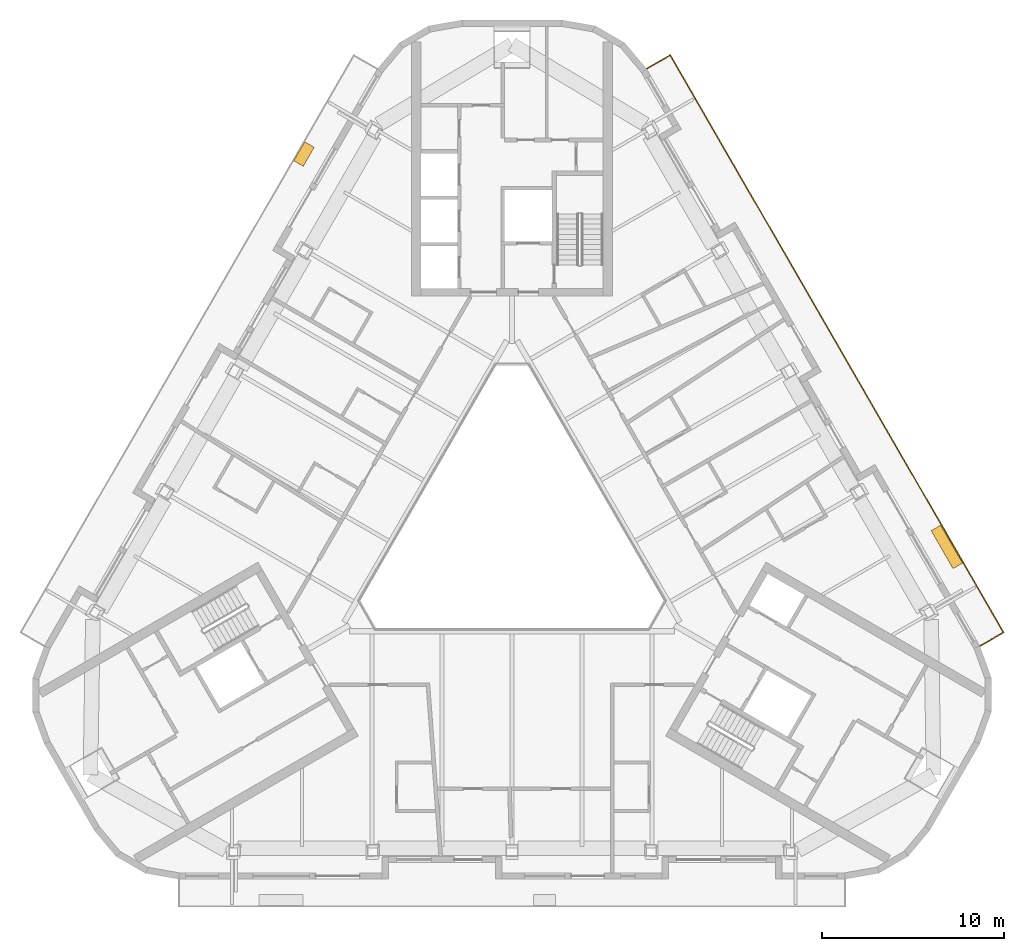
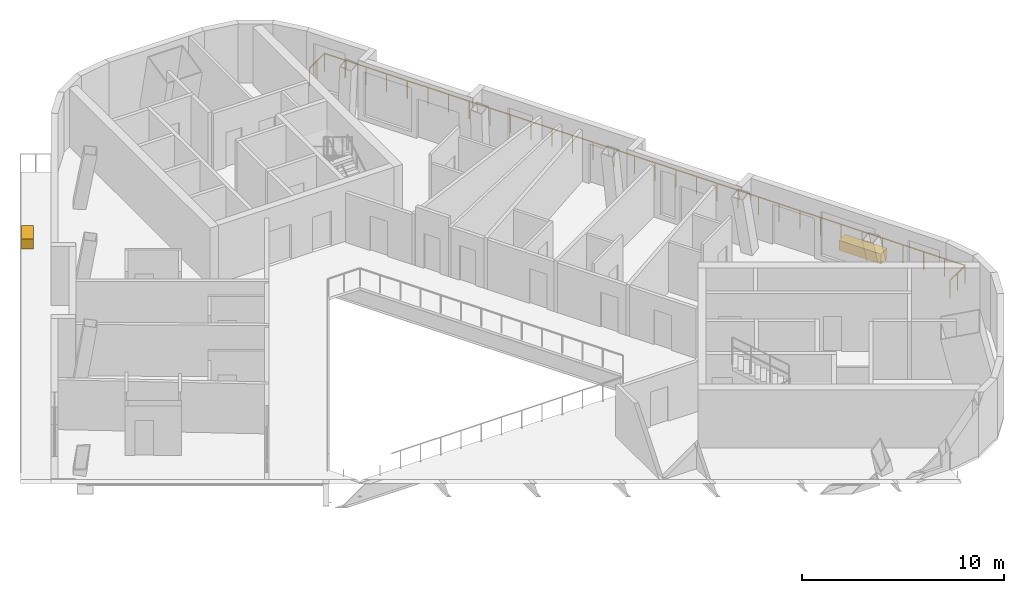
# One storey, part 13 of 14: 2 coverings, 1 railing.
"""IFC4 building model written with IfcOpenShell, lengths in metres."""

from ifc_helpers import new_model, si_unit, direction, frame, origin, origin_2d, place, context, subcontext, project, spatial, rectangle, extrude, material, type_object, element, save


model = new_model("IFC4")

# Units and contexts
model_context = context("Model", 3, precision=1e-05, world=origin(), true_north=direction((0.0, 1.0)))
body_context = subcontext(model_context, "Body", "Model", "MODEL_VIEW")
ifc_project = project(units=[si_unit("LENGTHUNIT", "METRE"), si_unit("AREAUNIT", "SQUARE_METRE"), si_unit("VOLUMEUNIT", "CUBIC_METRE"), si_unit("PLANEANGLEUNIT", "RADIAN"), si_unit("MASSUNIT", "GRAM", prefix="KILO")], contexts=[model_context])

# Site, building, storey
site_placement = place(None, origin())
site = spatial("IfcSite", under=ifc_project, at=site_placement, CompositionType="ELEMENT")
building_placement = place(site_placement, origin())
building = spatial("IfcBuilding", under=site, at=building_placement, Name="Apuvela Tower Hotel", CompositionType="ELEMENT")
storey_placement = place(building_placement, frame((0.0, 0.0, 265.199951171875)))
storey = spatial("IfcBuildingStorey", under=building, at=storey_placement, Name="L65", CompositionType="ELEMENT", Elevation=265.199951171875)

# Railing
ifc_material_1 = material(Name="Stainless steel 316 rail with laminated glass infill", Category="steel")
railing_type = type_object("IfcRailingType", Name="ENV-GUARD-1100", PredefinedType="GUARDRAIL", material=ifc_material_1)
railing_placement = place(storey_placement, frame((25.64501953125, -6.292724609375, 0.0)))
element("IfcRailing", 1, at=railing_placement, inside=storey, type_object=railing_type, Name="Balcony guard NE L65", PredefinedType="GUARDRAIL", context=body_context, shape_type="SweptSolid", body=[
    extrude(rectangle(XDim=0.050048828125, YDim=0.050048828125, at=origin_2d()), frame((0.0, 0.0, 1.0751953125), z_axis=(0.866031096941, 0.499990139034, 0.0), x_axis=(-0.499990139034, 0.866031096941, 0.0)), (0.0, 0.0, 1.0), 1.5),
    extrude(rectangle(XDim=0.050048828125, YDim=0.050048828125, at=origin_2d()), frame((1.299072265625, 0.75, 1.0751953125), z_axis=(-0.499999648787, 0.866025606557, 0.0), x_axis=(-0.866025606557, -0.499999648787, 0.0)), (0.0, 0.0, 1.0), 36.54443359375),
    extrude(rectangle(XDim=0.050048828125, YDim=0.050048828125, at=origin_2d()), frame((-16.97314453125, 32.3984375, 1.0751953125), z_axis=(-0.866031096941, -0.499990139034, 0.0), x_axis=(0.499990139034, -0.866031096941, 0.0)), (0.0, 0.0, 1.0), 1.5),
    extrude(rectangle(XDim=0.0400390625, YDim=0.0400390625, at=origin_2d()), origin(), (0.0, 0.0, 1.0), 1.050048828125),
    extrude(rectangle(XDim=0.0400390625, YDim=0.0400390625, at=origin_2d()), frame((0.6494140625, 0.375, 0.0)), (0.0, 0.0, 1.0), 1.050048828125),
    extrude(rectangle(XDim=0.0400390625, YDim=0.0400390625, at=origin_2d()), frame((1.299072265625, 0.75, 0.0)), (0.0, 0.0, 1.0), 1.050048828125),
    extrude(rectangle(XDim=0.0400390625, YDim=0.0400390625, at=origin_2d()), frame((0.709716796875, 1.77099609375, 0.0)), (0.0, 0.0, 1.0), 1.050048828125),
    extrude(rectangle(XDim=0.0400390625, YDim=0.0400390625, at=origin_2d()), frame((0.1201171875, 2.791748046875, 0.0)), (0.0, 0.0, 1.0), 1.050048828125),
    extrude(rectangle(XDim=0.0400390625, YDim=0.0400390625, at=origin_2d()), frame((-0.46923828125, 3.812744140625, 0.0)), (0.0, 0.0, 1.0), 1.050048828125),
    extrude(rectangle(XDim=0.0400390625, YDim=0.0400390625, at=origin_2d()), frame((-1.05859375, 4.833740234375, 0.0)), (0.0, 0.0, 1.0), 1.050048828125),
    extrude(rectangle(XDim=0.0400390625, YDim=0.0400390625, at=origin_2d()), frame((-1.64794921875, 5.8544921875, 0.0)), (0.0, 0.0, 1.0), 1.050048828125),
    extrude(rectangle(XDim=0.0400390625, YDim=0.0400390625, at=origin_2d()), frame((-2.237548828125, 6.87548828125, 0.0)), (0.0, 0.0, 1.0), 1.050048828125),
    extrude(rectangle(XDim=0.0400390625, YDim=0.0400390625, at=origin_2d()), frame((-2.826904296875, 7.896484375, 0.0)), (0.0, 0.0, 1.0), 1.050048828125),
    extrude(rectangle(XDim=0.0400390625, YDim=0.0400390625, at=origin_2d()), frame((-3.416259765625, 8.917236328125, 0.0)), (0.0, 0.0, 1.0), 1.050048828125),
    extrude(rectangle(XDim=0.0400390625, YDim=0.0400390625, at=origin_2d()), frame((-4.005859375, 9.938232421875, 0.0)), (0.0, 0.0, 1.0), 1.050048828125),
    extrude(rectangle(XDim=0.0400390625, YDim=0.0400390625, at=origin_2d()), frame((-4.59521484375, 10.959228515625, 0.0)), (0.0, 0.0, 1.0), 1.050048828125),
    extrude(rectangle(XDim=0.0400390625, YDim=0.0400390625, at=origin_2d()), frame((-5.1845703125, 11.97998046875, 0.0)), (0.0, 0.0, 1.0), 1.050048828125),
    extrude(rectangle(XDim=0.0400390625, YDim=0.0400390625, at=origin_2d()), frame((-5.77392578125, 13.0009765625, 0.0)), (0.0, 0.0, 1.0), 1.050048828125),
    extrude(rectangle(XDim=0.0400390625, YDim=0.0400390625, at=origin_2d()), frame((-6.363525390625, 14.02197265625, 0.0)), (0.0, 0.0, 1.0), 1.050048828125),
    extrude(rectangle(XDim=0.0400390625, YDim=0.0400390625, at=origin_2d()), frame((-6.952880859375, 15.042724609375, 0.0)), (0.0, 0.0, 1.0), 1.050048828125),
    extrude(rectangle(XDim=0.0400390625, YDim=0.0400390625, at=origin_2d()), frame((-7.542236328125, 16.063720703125, 0.0)), (0.0, 0.0, 1.0), 1.050048828125),
    extrude(rectangle(XDim=0.0400390625, YDim=0.0400390625, at=origin_2d()), frame((-8.1318359375, 17.084716796875, 0.0)), (0.0, 0.0, 1.0), 1.050048828125),
    extrude(rectangle(XDim=0.0400390625, YDim=0.0400390625, at=origin_2d()), frame((-8.72119140625, 18.105712890625, 0.0)), (0.0, 0.0, 1.0), 1.050048828125),
    extrude(rectangle(XDim=0.0400390625, YDim=0.0400390625, at=origin_2d()), frame((-9.310546875, 19.12646484375, 0.0)), (0.0, 0.0, 1.0), 1.050048828125),
    extrude(rectangle(XDim=0.0400390625, YDim=0.0400390625, at=origin_2d()), frame((-9.900146484375, 20.1474609375, 0.0)), (0.0, 0.0, 1.0), 1.050048828125),
    extrude(rectangle(XDim=0.0400390625, YDim=0.0400390625, at=origin_2d()), frame((-10.489501953125, 21.16845703125, 0.0)), (0.0, 0.0, 1.0), 1.050048828125),
    extrude(rectangle(XDim=0.0400390625, YDim=0.0400390625, at=origin_2d()), frame((-11.078857421875, 22.189208984375, 0.0)), (0.0, 0.0, 1.0), 1.050048828125),
    extrude(rectangle(XDim=0.0400390625, YDim=0.0400390625, at=origin_2d()), frame((-11.668212890625, 23.210205078125, 0.0)), (0.0, 0.0, 1.0), 1.050048828125),
    extrude(rectangle(XDim=0.0400390625, YDim=0.0400390625, at=origin_2d()), frame((-12.2578125, 24.231201171875, 0.0)), (0.0, 0.0, 1.0), 1.050048828125),
    extrude(rectangle(XDim=0.0400390625, YDim=0.0400390625, at=origin_2d()), frame((-12.84716796875, 25.251953125, 0.0)), (0.0, 0.0, 1.0), 1.050048828125),
    extrude(rectangle(XDim=0.0400390625, YDim=0.0400390625, at=origin_2d()), frame((-13.4365234375, 26.27294921875, 0.0)), (0.0, 0.0, 1.0), 1.050048828125),
    extrude(rectangle(XDim=0.0400390625, YDim=0.0400390625, at=origin_2d()), frame((-14.026123046875, 27.2939453125, 0.0)), (0.0, 0.0, 1.0), 1.050048828125),
    extrude(rectangle(XDim=0.0400390625, YDim=0.0400390625, at=origin_2d()), frame((-14.615478515625, 28.314697265625, 0.0)), (0.0, 0.0, 1.0), 1.050048828125),
    extrude(rectangle(XDim=0.0400390625, YDim=0.0400390625, at=origin_2d()), frame((-15.204833984375, 29.335693359375, 0.0)), (0.0, 0.0, 1.0), 1.050048828125),
    extrude(rectangle(XDim=0.0400390625, YDim=0.0400390625, at=origin_2d()), frame((-15.794189453125, 30.356689453125, 0.0)), (0.0, 0.0, 1.0), 1.050048828125),
    extrude(rectangle(XDim=0.0400390625, YDim=0.0400390625, at=origin_2d()), frame((-16.3837890625, 31.37744140625, 0.0)), (0.0, 0.0, 1.0), 1.050048828125),
    extrude(rectangle(XDim=0.0400390625, YDim=0.0400390625, at=origin_2d()), frame((-16.97314453125, 32.3984375, 0.0)), (0.0, 0.0, 1.0), 1.050048828125),
    extrude(rectangle(XDim=0.0400390625, YDim=0.0400390625, at=origin_2d()), frame((-17.62255859375, 32.0234375, 0.0)), (0.0, 0.0, 1.0), 1.050048828125),
    extrude(rectangle(XDim=0.0400390625, YDim=0.0400390625, at=origin_2d()), frame((-18.272216796875, 31.6484375, 0.0)), (0.0, 0.0, 1.0), 1.050048828125),
])

# Coverings
ifc_material_2 = material(Name="Planting substrate and soil, planted")
covering_type_1 = type_object("IfcCoveringType", Name="ENV-PLANTER-1200x600", PredefinedType="USERDEFINED", material=ifc_material_2)
covering_1_placement = place(storey_placement, frame((-11.40087890625, 20.6787109375, 0.0), z_axis=(0.0, 0.0, 1.0), x_axis=(-0.5, -0.866025403784, 0.0)))
element("IfcCovering", 2, at=covering_1_placement, inside=storey, type_object=covering_type_1, Name="Planter NW4", ObjectType="PLANTER", PredefinedType="USERDEFINED", context=body_context, shape_type="SweptSolid", body=[
    extrude(rectangle(XDim=1.199951171875, YDim=0.60009765625, at=origin_2d()), origin(), (0.0, 0.0, 1.0), 0.60009765625),
])
covering_type_2 = type_object("IfcCoveringType", Name="ENV-PLANTER-2400x600", PredefinedType="USERDEFINED", material=ifc_material_2)
covering_2_placement = place(storey_placement, frame((23.83251953125, -0.853515625, 0.0), z_axis=(0.0, 0.0, 1.0), x_axis=(-0.5, 0.866025403784, 0.0)))
element("IfcCovering", 3, at=covering_2_placement, inside=storey, type_object=covering_type_2, Name="Planter NE3", ObjectType="PLANTER", PredefinedType="USERDEFINED", context=body_context, shape_type="SweptSolid", body=[
    extrude(rectangle(XDim=2.39990234375, YDim=0.60009765625, at=origin_2d()), origin(), (0.0, 0.0, 1.0), 0.60009765625),
])

save(model, "model.ifc")
